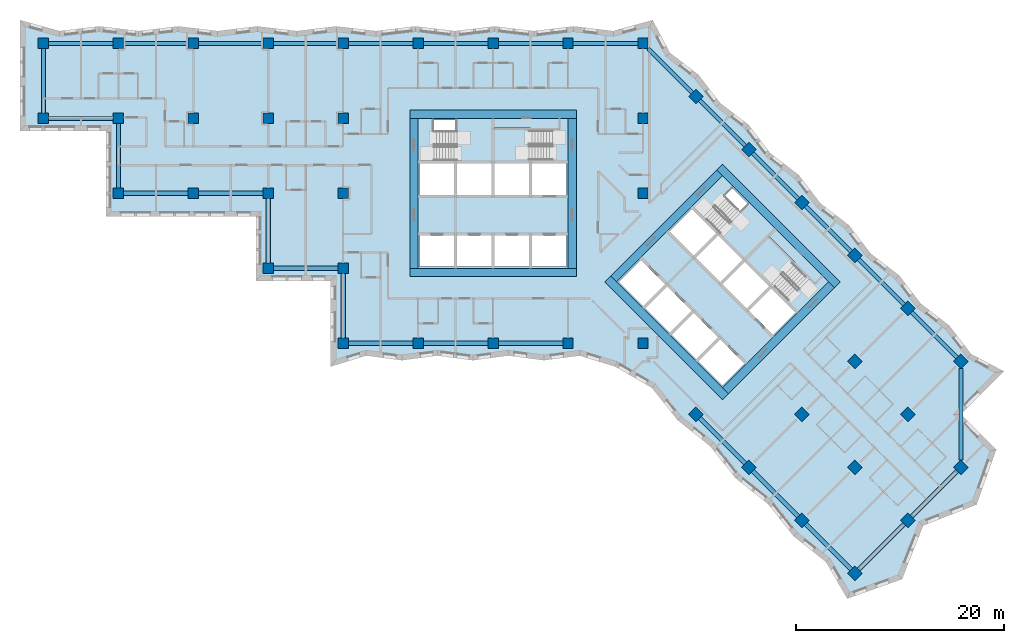
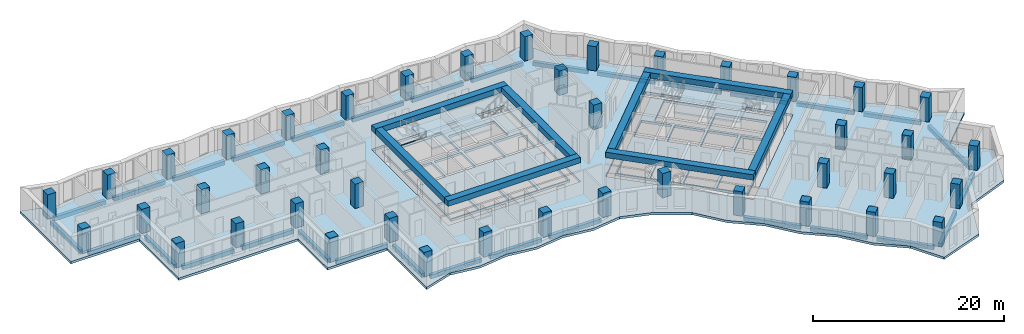
# One storey, part 1 of 13: 43 columns, 39 beams, 7 slabs, 22 openings, 4 elements without a shape of their own.
"""IFC4 building model written with IfcOpenShell, lengths in metres."""

from ifc_helpers import new_model, si_unit, direction, frame, origin, origin_2d, place, context, subcontext, project, spatial, polyline, rectangle, outline, extrude, material, layer, layer_set, material_profile, profile_set, type_object, element, aggregate, save


model = new_model("IFC4")

# Units and contexts
model_context = context("Model", 3, precision=1e-05, world=origin(), true_north=direction((0.0, 1.0)))
body_context = subcontext(model_context, "Body", "Model", "MODEL_VIEW")
ifc_project = project(units=[si_unit("LENGTHUNIT", "METRE"), si_unit("AREAUNIT", "SQUARE_METRE"), si_unit("VOLUMEUNIT", "CUBIC_METRE"), si_unit("PLANEANGLEUNIT", "RADIAN"), si_unit("MASSUNIT", "GRAM", prefix="KILO")], contexts=[model_context])

# Site, building, storey
site_placement = place(None, origin())
site = spatial("IfcSite", under=ifc_project, at=site_placement, CompositionType="ELEMENT")
building_placement = place(site_placement, origin())
building = spatial("IfcBuilding", under=site, at=building_placement, Name="Windrow Commons", CompositionType="ELEMENT")
storey_placement = place(building_placement, frame((0.0, 0.0, 98.2)))
storey = spatial("IfcBuildingStorey", under=building, at=storey_placement, Name="L26", CompositionType="ELEMENT", Elevation=98.2)

# Columns
ifc_material_1 = material(Name="Concrete C60/75", Category="concrete")
ifc_material_profile_1 = material_profile(ifc_material_1, rectangle(XDim=1.0, YDim=1.0, at=origin_2d()))
ifc_profile_set_1 = profile_set([ifc_material_profile_1], Name="Concrete C60/75")
column_type = type_object("IfcColumnType", Name="RC COLUMN 1000x1000 C60/75", PredefinedType="COLUMN", material=ifc_profile_set_1)
for number, where, z_axis, x_axis, name in (
    (1, (21.6, 64.8, 0.0), (0.0, 0.0, 1.0), (1.0, 0.0, 0.0), "C-Z2-04I"),
    (2, (21.6, 72.0, 0.0), (0.0, 0.0, 1.0), (1.0, 0.0, 0.0), "C-Z2-04J"),
    (3, (28.8, 57.6, 0.0), (0.0, 0.0, 1.0), (1.0, 0.0, 0.0), "C-Z2-05H"),
    (4, (28.8, 64.8, 0.0), (0.0, 0.0, 1.0), (1.0, 0.0, 0.0), "C-Z2-05I"),
    (5, (28.8, 72.0, 0.0), (0.0, 0.0, 1.0), (1.0, 0.0, 0.0), "C-Z2-05J"),
    (6, (36.0, 57.6, 0.0), (0.0, 0.0, 1.0), (1.0, 0.0, 0.0), "C-Z2-06H"),
    (7, (36.0, 64.8, 0.0), (0.0, 0.0, 1.0), (1.0, 0.0, 0.0), "C-Z2-06I"),
    (8, (36.0, 72.0, 0.0), (0.0, 0.0, 1.0), (1.0, 0.0, 0.0), "C-Z2-06J"),
    (9, (43.2, 50.4, 0.0), (0.0, 0.0, 1.0), (1.0, 0.0, 0.0), "C-Z2-07G"),
    (10, (43.2, 57.6, 0.0), (0.0, 0.0, 1.0), (1.0, 0.0, 0.0), "C-Z2-07H"),
    (11, (43.2, 64.8, 0.0), (0.0, 0.0, 1.0), (1.0, 0.0, 0.0), "C-Z2-07I"),
    (12, (43.2, 72.0, 0.0), (0.0, 0.0, 1.0), (1.0, 0.0, 0.0), "C-Z2-07J"),
    (13, (50.4, 43.2, 0.0), (0.0, 0.0, 1.0), (1.0, 0.0, 0.0), "C-Z2-08F"),
    (14, (50.4, 50.4, 0.0), (0.0, 0.0, 1.0), (1.0, 0.0, 0.0), "C-Z2-08G"),
    (15, (50.4, 57.6, 0.0), (0.0, 0.0, 1.0), (1.0, 0.0, 0.0), "C-Z2-08H"),
    (16, (50.4, 64.8, 0.0), (0.0, 0.0, 1.0), (1.0, 0.0, 0.0), "C-Z2-08I"),
    (17, (50.4, 72.0, 0.0), (0.0, 0.0, 1.0), (1.0, 0.0, 0.0), "C-Z2-08J"),
    (18, (57.6, 43.2, 0.0), (0.0, 0.0, 1.0), (1.0, 0.0, 0.0), "C-Z2-09F"),
    (19, (57.6, 72.0, 0.0), (0.0, 0.0, 1.0), (1.0, 0.0, 0.0), "C-Z2-09J"),
    (20, (64.8, 43.2, 0.0), (0.0, 0.0, 1.0), (1.0, 0.0, 0.0), "C-Z2-10F"),
    (21, (64.8, 72.0, 0.0), (0.0, 0.0, 1.0), (1.0, 0.0, 0.0), "C-Z2-10J"),
    (22, (72.0, 43.2, 0.0), (0.0, 0.0, 1.0), (1.0, 0.0, 0.0), "C-Z2-11F"),
    (23, (72.0, 72.0, 0.0), (0.0, 0.0, 1.0), (1.0, 0.0, 0.0), "C-Z2-11J"),
    (24, (79.2, 43.2, 0.0), (0.0, 0.0, 1.0), (1.0, 0.0, 0.0), "C-Z2-12F"),
    (25, (79.2, 57.6, 0.0), (0.0, 0.0, 1.0), (1.0, 0.0, 0.0), "C-Z2-12H"),
    (26, (79.2, 64.8, 0.0), (0.0, 0.0, 1.0), (1.0, 0.0, 0.0), "C-Z2-12I"),
    (27, (79.2, 72.0, 0.0), (0.0, 0.0, 1.0), (1.0, 0.0, 0.0), "C-Z2-12J"),
    (28, (84.2912, 66.9088, 0.0), (0.0, 0.0, 1.0), (0.7071067812, -0.7071067812, 0.0), "C-Z2-P2Q"),
    (29, (89.3823, 61.8177, 0.0), (0.0, 0.0, 1.0), (0.7071067812, -0.7071067812, 0.0), "C-Z2-P3Q"),
    (30, (94.4735, 56.7265, 0.0), (0.0, 0.0, 1.0), (0.7071067812, -0.7071067812, 0.0), "C-Z2-P4Q"),
    (31, (99.5647, 51.6353, 0.0), (0.0, 0.0, 1.0), (0.7071067812, -0.7071067812, 0.0), "C-Z2-P5Q"),
    (32, (84.2912, 36.3618, 0.0), (0.0, 0.0, 1.0), (0.7071067812, -0.7071067812, 0.0), "C-Z2-P5T"),
    (33, (104.6558, 46.5442, 0.0), (0.0, 0.0, 1.0), (0.7071067812, -0.7071067812, 0.0), "C-Z2-P6Q"),
    (34, (99.5647, 41.453, 0.0), (0.0, 0.0, 1.0), (0.7071067812, -0.7071067812, 0.0), "C-Z2-P6R"),
    (35, (94.4735, 36.3618, 0.0), (0.0, 0.0, 1.0), (0.7071067812, -0.7071067812, 0.0), "C-Z2-P6S"),
    (36, (89.3823, 31.2706, 0.0), (0.0, 0.0, 1.0), (0.7071067812, -0.7071067812, 0.0), "C-Z2-P6T"),
    (37, (109.747, 41.453, 0.0), (0.0, 0.0, 1.0), (0.7071067812, -0.7071067812, 0.0), "C-Z2-P7Q"),
    (38, (104.6558, 36.3618, 0.0), (0.0, 0.0, 1.0), (0.7071067812, -0.7071067812, 0.0), "C-Z2-P7R"),
    (39, (99.5647, 31.2706, 0.0), (0.0, 0.0, 1.0), (0.7071067812, -0.7071067812, 0.0), "C-Z2-P7S"),
    (40, (94.4735, 26.1795, 0.0), (0.0, 0.0, 1.0), (0.7071067812, -0.7071067812, 0.0), "C-Z2-P7T"),
    (41, (109.747, 31.2706, 0.0), (0.0, 0.0, 1.0), (0.7071067812, -0.7071067812, 0.0), "C-Z2-P8R"),
    (42, (104.6558, 26.1795, 0.0), (0.0, 0.0, 1.0), (0.7071067812, -0.7071067812, 0.0), "C-Z2-P8S"),
    (43, (99.5647, 21.0883, 0.0), (0.0, 0.0, 1.0), (0.7071067812, -0.7071067812, 0.0), "C-Z2-P8T"),
):
    element("IfcColumn", number, at=place(storey_placement, frame(where, z_axis=z_axis, x_axis=x_axis)), inside=storey, type_object=column_type, Name=name, PredefinedType="COLUMN", context=body_context, shape_type="SweptSolid", body=[
        extrude(rectangle(XDim=1.0, YDim=1.0, at=origin_2d()), origin(), (0.0, 0.0, 1.0), 3.1),
    ])

# Beams
ifc_material_2 = material(Name="Concrete C50/60", Category="concrete")
ifc_material_profile_2 = material_profile(ifc_material_2, rectangle(XDim=0.8, YDim=0.7, at=origin_2d()))
ifc_profile_set_2 = profile_set([ifc_material_profile_2], Name="Concrete C50/60")
beam_type_1 = type_object("IfcBeamType", Name="RC COUPLING BEAM 800x700 C50/60", PredefinedType="LINTEL", material=ifc_profile_set_2)
for number, where, z_axis, x_axis, name in (
    (44, (56.8, 50.0, 2.75), (1.0, 0.0, 0.0), (0.0, 1.0, 0.0), "Core A coupling beam outer-S"),
    (45, (56.8, 65.2, 2.75), (1.0, 0.0, 0.0), (0.0, 1.0, 0.0), "Core A coupling beam outer-N"),
):
    element("IfcBeam", number, at=place(storey_placement, frame(where, z_axis=z_axis, x_axis=x_axis)), inside=storey, type_object=beam_type_1, Name=name, PredefinedType="LINTEL", context=body_context, shape_type="SweptSolid", body=[
        extrude(rectangle(XDim=0.8, YDim=0.7, at=origin_2d()), origin(), (0.0, 0.0, 1.0), 16.0),
    ])
for number, where, z_axis, x_axis, name in (
    (46, (57.2, 50.4, 2.75), (0.0, 1.0, 0.0), (-1.0, 0.0, 0.0), "Core A coupling beam outer-W"),
    (47, (72.4, 50.4, 2.75), (0.0, 1.0, 0.0), (-1.0, 0.0, 0.0), "Core A coupling beam outer-E"),
):
    element("IfcBeam", number, at=place(storey_placement, frame(where, z_axis=z_axis, x_axis=x_axis)), inside=storey, type_object=beam_type_1, Name=name, PredefinedType="LINTEL", context=body_context, shape_type="SweptSolid", body=[
        extrude(rectangle(XDim=0.8, YDim=0.7, at=origin_2d()), origin(), (0.0, 0.0, 1.0), 14.4),
    ])
for number, where, z_axis, x_axis, name in (
    (48, (75.8059, 49.3726, 2.75), (0.7071067812, -0.7071067812, 0.0), (0.7071067812, 0.7071067812, 0.0), "Core B coupling beam outer-S"),
    (49, (86.5539, 60.1206, 2.75), (0.7071067812, -0.7071067812, 0.0), (0.7071067812, 0.7071067812, 0.0), "Core B coupling beam outer-N"),
):
    element("IfcBeam", number, at=place(storey_placement, frame(where, z_axis=z_axis, x_axis=x_axis)), inside=storey, type_object=beam_type_1, Name=name, PredefinedType="LINTEL", context=body_context, shape_type="SweptSolid", body=[
        extrude(rectangle(XDim=0.8, YDim=0.7, at=origin_2d()), origin(), (0.0, 0.0, 1.0), 16.0),
    ])
for number, where, z_axis, x_axis, name in (
    (50, (76.3716, 49.3726, 2.75), (0.7071067812, 0.7071067812, 0.0), (-0.7071067812, 0.7071067812, 0.0), "Core B coupling beam outer-W"),
    (51, (87.1196, 38.6246, 2.75), (0.7071067812, 0.7071067812, 0.0), (-0.7071067812, 0.7071067812, 0.0), "Core B coupling beam outer-E"),
):
    element("IfcBeam", number, at=place(storey_placement, frame(where, z_axis=z_axis, x_axis=x_axis)), inside=storey, type_object=beam_type_1, Name=name, PredefinedType="LINTEL", context=body_context, shape_type="SweptSolid", body=[
        extrude(rectangle(XDim=0.8, YDim=0.7, at=origin_2d()), origin(), (0.0, 0.0, 1.0), 14.3999),
    ])
ifc_material_3 = material(Name="Concrete C50/60", Category="concrete")
ifc_material_profile_3 = material_profile(ifc_material_3, rectangle(XDim=0.4, YDim=0.5, at=origin_2d()))
ifc_profile_set_3 = profile_set([ifc_material_profile_3], Name="Concrete C50/60")
beam_type_2 = type_object("IfcBeamType", Name="RC EDGE BEAM 400x500 C50/60", PredefinedType="SPANDREL", material=ifc_profile_set_3)
for number, where, z_axis, x_axis, name in (
    (52, (35.5, 57.6, -0.55), (-1.0, 0.0, 0.0), (0.0, -1.0, 0.0), "Edge beam L26 001"),
    (53, (28.8, 58.1, -0.55), (0.0, 1.0, 0.0), (-1.0, 0.0, 0.0), "Edge beam L26 002"),
    (54, (28.3, 64.8, -0.55), (-1.0, 0.0, 0.0), (0.0, -1.0, 0.0), "Edge beam L26 003"),
    (55, (21.6, 65.3, -0.55), (0.0, 1.0, 0.0), (-1.0, 0.0, 0.0), "Edge beam L26 004"),
    (56, (22.1, 72.0, -0.55), (1.0, 0.0, 0.0), (0.0, 1.0, 0.0), "Edge beam L26 005"),
    (57, (29.3, 72.0, -0.55), (1.0, 0.0, 0.0), (0.0, 1.0, 0.0), "Edge beam L26 006"),
    (58, (36.5, 72.0, -0.55), (1.0, 0.0, 0.0), (0.0, 1.0, 0.0), "Edge beam L26 007"),
    (59, (43.7, 72.0, -0.55), (1.0, 0.0, 0.0), (0.0, 1.0, 0.0), "Edge beam L26 008"),
    (60, (50.9, 72.0, -0.55), (1.0, 0.0, 0.0), (0.0, 1.0, 0.0), "Edge beam L26 009"),
    (61, (58.1, 72.0, -0.55), (1.0, 0.0, 0.0), (0.0, 1.0, 0.0), "Edge beam L26 010"),
    (62, (65.3, 72.0, -0.55), (1.0, 0.0, 0.0), (0.0, 1.0, 0.0), "Edge beam L26 011"),
    (63, (72.5, 72.0, -0.55), (1.0, 0.0, 0.0), (0.0, 1.0, 0.0), "Edge beam L26 012"),
):
    element("IfcBeam", number, at=place(storey_placement, frame(where, z_axis=z_axis, x_axis=x_axis)), inside=storey, type_object=beam_type_2, Name=name, PredefinedType="SPANDREL", context=body_context, shape_type="SweptSolid", body=[
        extrude(rectangle(XDim=0.4, YDim=0.5, at=origin_2d()), origin(), (0.0, 0.0, 1.0), 6.2),
    ])
beam_1_placement = place(storey_placement, frame((79.7, 71.5, -0.55), z_axis=(0.7071067812, -0.7071067812, 0.0), x_axis=(0.7071067812, 0.7071067812, 0.0)))
element("IfcBeam", 64, at=beam_1_placement, inside=storey, type_object=beam_type_2, Name="Edge beam L26 013", PredefinedType="SPANDREL", context=body_context, shape_type="SweptSolid", body=[
    extrude(rectangle(XDim=0.4, YDim=0.5, at=origin_2d()), origin(), (0.0, 0.0, 1.0), 5.9929),
])
beam_2_placement = place(storey_placement, frame((84.6448, 66.5552, -0.55), z_axis=(0.7071067812, -0.7071067812, 0.0), x_axis=(0.7071067812, 0.7071067812, 0.0)))
element("IfcBeam", 65, at=beam_2_placement, inside=storey, type_object=beam_type_2, Name="Edge beam L26 014", PredefinedType="SPANDREL", context=body_context, shape_type="SweptSolid", body=[
    extrude(rectangle(XDim=0.4, YDim=0.5, at=origin_2d()), origin(), (0.0, 0.0, 1.0), 6.1998),
])
for number, where, z_axis, x_axis, name in (
    (66, (89.7359, 61.4641, -0.55), (0.7071067812, -0.7071067812, 0.0), (0.7071067812, 0.7071067812, 0.0), "Edge beam L26 015"),
    (67, (94.8271, 56.3729, -0.55), (0.7071067812, -0.7071067812, 0.0), (0.7071067812, 0.7071067812, 0.0), "Edge beam L26 016"),
):
    element("IfcBeam", number, at=place(storey_placement, frame(where, z_axis=z_axis, x_axis=x_axis)), inside=storey, type_object=beam_type_2, Name=name, PredefinedType="SPANDREL", context=body_context, shape_type="SweptSolid", body=[
        extrude(rectangle(XDim=0.4, YDim=0.5, at=origin_2d()), origin(), (0.0, 0.0, 1.0), 6.1999),
    ])
beam_3_placement = place(storey_placement, frame((99.9183, 51.2817, -0.55), z_axis=(0.7071067812, -0.7071067812, 0.0), x_axis=(0.7071067812, 0.7071067812, 0.0)))
element("IfcBeam", 68, at=beam_3_placement, inside=storey, type_object=beam_type_2, Name="Edge beam L26 017", PredefinedType="SPANDREL", context=body_context, shape_type="SweptSolid", body=[
    extrude(rectangle(XDim=0.4, YDim=0.5, at=origin_2d()), origin(), (0.0, 0.0, 1.0), 6.1998),
])
beam_4_placement = place(storey_placement, frame((105.0094, 46.1906, -0.55), z_axis=(0.7071067812, -0.7071067812, 0.0), x_axis=(0.7071067812, 0.7071067812, 0.0)))
element("IfcBeam", 69, at=beam_4_placement, inside=storey, type_object=beam_type_2, Name="Edge beam L26 018", PredefinedType="SPANDREL", context=body_context, shape_type="SweptSolid", body=[
    extrude(rectangle(XDim=0.4, YDim=0.5, at=origin_2d()), origin(), (0.0, 0.0, 1.0), 6.1999),
])
beam_5_placement = place(storey_placement, frame((109.747, 40.7459, -0.55), z_axis=(0.0, -1.0, 0.0), x_axis=(1.0, 0.0, 0.0)))
element("IfcBeam", 70, at=beam_5_placement, inside=storey, type_object=beam_type_2, Name="Edge beam L26 019", PredefinedType="SPANDREL", context=body_context, shape_type="SweptSolid", body=[
    extrude(rectangle(XDim=0.4, YDim=0.5, at=origin_2d()), origin(), (0.0, 0.0, 1.0), 8.7682),
])
for number, where, z_axis, x_axis, name in (
    (71, (109.3934, 30.917, -0.55), (-0.7071148459, -0.7070987164, 0.0), (0.7070987164, -0.7071148459, 0.0), "Edge beam L26 020"),
    (72, (104.3022, 25.8259, -0.55), (-0.7070987164, -0.7071148459, 0.0), (0.7071148459, -0.7070987164, 0.0), "Edge beam L26 021"),
):
    element("IfcBeam", number, at=place(storey_placement, frame(where, z_axis=z_axis, x_axis=x_axis)), inside=storey, type_object=beam_type_2, Name=name, PredefinedType="SPANDREL", context=body_context, shape_type="SweptSolid", body=[
        extrude(rectangle(XDim=0.4, YDim=0.5, at=origin_2d()), origin(), (0.0, 0.0, 1.0), 6.1998),
    ])
beam_6_placement = place(storey_placement, frame((99.2111, 21.4419, -0.55), z_axis=(-0.7071067812, 0.7071067812, 0.0), x_axis=(-0.7071067812, -0.7071067812, 0.0)))
element("IfcBeam", 73, at=beam_6_placement, inside=storey, type_object=beam_type_2, Name="Edge beam L26 022", PredefinedType="SPANDREL", context=body_context, shape_type="SweptSolid", body=[
    extrude(rectangle(XDim=0.4, YDim=0.5, at=origin_2d()), origin(), (0.0, 0.0, 1.0), 6.1999),
])
for number, where, z_axis, x_axis, name in (
    (74, (94.1199, 26.5331, -0.55), (-0.7071148459, 0.7070987164, 0.0), (-0.7070987164, -0.7071148459, 0.0), "Edge beam L26 023"),
    (75, (89.0287, 31.6242, -0.55), (-0.7070987164, 0.7071148459, 0.0), (-0.7071148459, -0.7070987164, 0.0), "Edge beam L26 024"),
):
    element("IfcBeam", number, at=place(storey_placement, frame(where, z_axis=z_axis, x_axis=x_axis)), inside=storey, type_object=beam_type_2, Name=name, PredefinedType="SPANDREL", context=body_context, shape_type="SweptSolid", body=[
        extrude(rectangle(XDim=0.4, YDim=0.5, at=origin_2d()), origin(), (0.0, 0.0, 1.0), 6.1998),
    ])
for number, where, z_axis, x_axis, name in (
    (76, (71.5, 43.2, -0.55), (-1.0, 0.0, 0.0), (0.0, -1.0, 0.0), "Edge beam L26 025"),
    (77, (64.3, 43.2, -0.55), (-1.0, 0.0, 0.0), (0.0, -1.0, 0.0), "Edge beam L26 026"),
    (78, (57.1, 43.2, -0.55), (-1.0, 0.0, 0.0), (0.0, -1.0, 0.0), "Edge beam L26 027"),
    (79, (50.4, 43.7, -0.55), (0.0, 1.0, 0.0), (-1.0, 0.0, 0.0), "Edge beam L26 028"),
    (80, (49.9, 50.4, -0.55), (-1.0, 0.0, 0.0), (0.0, -1.0, 0.0), "Edge beam L26 029"),
    (81, (43.2, 50.9, -0.55), (0.0, 1.0, 0.0), (-1.0, 0.0, 0.0), "Edge beam L26 030"),
    (82, (42.7, 57.6, -0.55), (-1.0, 0.0, 0.0), (0.0, -1.0, 0.0), "Edge beam L26 031"),
):
    element("IfcBeam", number, at=place(storey_placement, frame(where, z_axis=z_axis, x_axis=x_axis)), inside=storey, type_object=beam_type_2, Name=name, PredefinedType="SPANDREL", context=body_context, shape_type="SweptSolid", body=[
        extrude(rectangle(XDim=0.4, YDim=0.5, at=origin_2d()), origin(), (0.0, 0.0, 1.0), 6.2),
    ])

# Slab, openings
ifc_material_4 = material(Name="Concrete C50/60", Category="concrete")
ifc_layer_1 = layer(ifc_material_4, 0.3)
ifc_layer_set_1 = layer_set([ifc_layer_1], Name="CORE FLOOR SLAB 300 C50/60")
slab_type_1 = type_object("IfcSlabType", Name="CORE FLOOR SLAB 300 C50/60", PredefinedType="FLOOR", material=ifc_layer_set_1)
placement_1 = place(storey_placement, frame((0.0, 0.0, -0.3)))
slab_1 = element("IfcSlab", 83, at=placement_1, inside=storey, type_object=slab_type_1, Name="S-L26-core-A", PredefinedType="FLOOR", context=body_context, shape_type="SweptSolid", body=[
    extrude(outline(polyline([(57.6, 50.4), (72.0, 50.4), (72.0, 64.8), (57.6, 64.8), (57.6, 50.4)]), holes=[polyline([(57.75, 50.55), (61.05, 50.55), (61.05, 53.55), (57.75, 53.55), (57.75, 50.55)]), polyline([(61.35, 50.55), (64.65, 50.55), (64.65, 53.55), (61.35, 53.55), (61.35, 50.55)]), polyline([(64.95, 50.55), (68.25, 50.55), (68.25, 53.55), (64.95, 53.55), (64.95, 50.55)]), polyline([(68.55, 50.55), (71.85, 50.55), (71.85, 53.55), (68.55, 53.55), (68.55, 50.55)]), polyline([(57.75, 57.45), (61.05, 57.45), (61.05, 60.45), (57.75, 60.45), (57.75, 57.45)]), polyline([(61.35, 57.45), (64.65, 57.45), (64.65, 60.45), (61.35, 60.45), (61.35, 57.45)]), polyline([(64.95, 57.45), (68.25, 57.45), (68.25, 60.45), (64.95, 60.45), (64.95, 57.45)]), polyline([(68.55, 57.45), (71.85, 57.45), (71.85, 60.45), (68.55, 60.45), (68.55, 57.45)]), polyline([(59.1, 60.75), (64.65, 60.75), (64.65, 64.65), (59.1, 64.65), (59.1, 60.75)]), polyline([(64.95, 60.75), (70.5, 60.75), (70.5, 63.705), (64.95, 63.705), (64.95, 60.75)])]), origin(), (0.0, 0.0, 1.0), 0.3),
])
opening_1_placement = place(placement_1, origin())
element("IfcOpeningElement", 84, at=opening_1_placement, cuts=slab_1, Name="Slab opening S-L26-core-A 1", PredefinedType="OPENING", context=body_context, shape_type="SweptSolid", body=[
    extrude(outline(polyline([(57.755, 50.555), (57.755, 53.545), (61.045, 53.545), (61.045, 50.555), (57.755, 50.555)])), origin(), (0.0, 0.0, 1.0), 0.3),
])
opening_2_placement = place(placement_1, origin())
element("IfcOpeningElement", 85, at=opening_2_placement, cuts=slab_1, Name="Slab opening S-L26-core-A 2", PredefinedType="OPENING", context=body_context, shape_type="SweptSolid", body=[
    extrude(outline(polyline([(61.355, 50.555), (61.355, 53.545), (64.645, 53.545), (64.645, 50.555), (61.355, 50.555)])), origin(), (0.0, 0.0, 1.0), 0.3),
])
opening_3_placement = place(placement_1, origin())
element("IfcOpeningElement", 86, at=opening_3_placement, cuts=slab_1, Name="Slab opening S-L26-core-A 3", PredefinedType="OPENING", context=body_context, shape_type="SweptSolid", body=[
    extrude(outline(polyline([(64.955, 50.555), (64.955, 53.545), (68.245, 53.545), (68.245, 50.555), (64.955, 50.555)])), origin(), (0.0, 0.0, 1.0), 0.3),
])
opening_4_placement = place(placement_1, origin())
element("IfcOpeningElement", 87, at=opening_4_placement, cuts=slab_1, Name="Slab opening S-L26-core-A 4", PredefinedType="OPENING", context=body_context, shape_type="SweptSolid", body=[
    extrude(outline(polyline([(68.555, 50.555), (68.555, 53.545), (71.845, 53.545), (71.845, 50.555), (68.555, 50.555)])), origin(), (0.0, 0.0, 1.0), 0.3),
])
opening_5_placement = place(placement_1, origin())
element("IfcOpeningElement", 88, at=opening_5_placement, cuts=slab_1, Name="Slab opening S-L26-core-A 5", PredefinedType="OPENING", context=body_context, shape_type="SweptSolid", body=[
    extrude(outline(polyline([(57.755, 57.455), (57.755, 60.445), (61.045, 60.445), (61.045, 57.455), (57.755, 57.455)])), origin(), (0.0, 0.0, 1.0), 0.3),
])
opening_6_placement = place(placement_1, origin())
element("IfcOpeningElement", 89, at=opening_6_placement, cuts=slab_1, Name="Slab opening S-L26-core-A 6", PredefinedType="OPENING", context=body_context, shape_type="SweptSolid", body=[
    extrude(outline(polyline([(61.355, 57.455), (61.355, 60.445), (64.645, 60.445), (64.645, 57.455), (61.355, 57.455)])), origin(), (0.0, 0.0, 1.0), 0.3),
])
opening_7_placement = place(placement_1, origin())
element("IfcOpeningElement", 90, at=opening_7_placement, cuts=slab_1, Name="Slab opening S-L26-core-A 7", PredefinedType="OPENING", context=body_context, shape_type="SweptSolid", body=[
    extrude(outline(polyline([(64.955, 57.455), (64.955, 60.445), (68.245, 60.445), (68.245, 57.455), (64.955, 57.455)])), origin(), (0.0, 0.0, 1.0), 0.3),
])
opening_8_placement = place(placement_1, origin())
element("IfcOpeningElement", 91, at=opening_8_placement, cuts=slab_1, Name="Slab opening S-L26-core-A 8", PredefinedType="OPENING", context=body_context, shape_type="SweptSolid", body=[
    extrude(outline(polyline([(68.555, 57.455), (68.555, 60.445), (71.845, 60.445), (71.845, 57.455), (68.555, 57.455)])), origin(), (0.0, 0.0, 1.0), 0.3),
])
opening_9_placement = place(placement_1, origin())
element("IfcOpeningElement", 92, at=opening_9_placement, cuts=slab_1, Name="Slab opening S-L26-core-A 9", PredefinedType="OPENING", context=body_context, shape_type="SweptSolid", body=[
    extrude(outline(polyline([(59.105, 60.755), (59.105, 64.645), (64.645, 64.645), (64.645, 60.755), (59.105, 60.755)])), origin(), (0.0, 0.0, 1.0), 0.3),
])
opening_10_placement = place(placement_1, origin())
element("IfcOpeningElement", 93, at=opening_10_placement, cuts=slab_1, Name="Slab opening S-L26-core-A 10", PredefinedType="OPENING", context=body_context, shape_type="SweptSolid", body=[
    extrude(outline(polyline([(64.955, 60.755), (64.955, 63.7), (70.495, 63.7), (70.495, 60.755), (64.955, 60.755)])), origin(), (0.0, 0.0, 1.0), 0.3),
])

slab_2 = element("IfcSlab", 94, at=placement_1, inside=storey, type_object=slab_type_1, Name="S-L26-core-B", PredefinedType="FLOOR", context=body_context, shape_type="SweptSolid", body=[
    extrude(outline(polyline([(76.6544, 49.0897), (86.8368, 38.9074), (97.0191, 49.0897), (86.8368, 59.2721), (76.6544, 49.0897)]), holes=[polyline([(76.8665, 49.0897), (79.2, 46.7563), (81.3213, 48.8776), (78.9879, 51.2111), (76.8665, 49.0897)]), polyline([(79.4121, 46.5442), (81.7456, 44.2107), (83.8669, 46.332), (81.5335, 48.6655), (79.4121, 46.5442)]), polyline([(81.9577, 43.9986), (84.2912, 41.6651), (86.4125, 43.7864), (84.079, 46.1199), (81.9577, 43.9986)]), polyline([(84.5033, 41.453), (86.8368, 39.1195), (88.9581, 41.2409), (86.6246, 43.5743), (84.5033, 41.453)]), polyline([(81.7456, 53.9688), (84.079, 51.6353), (86.2004, 53.7566), (83.8669, 56.0901), (81.7456, 53.9688)]), polyline([(84.2912, 51.4232), (86.6246, 49.0897), (88.7459, 51.2111), (86.4125, 53.5445), (84.2912, 51.4232)]), polyline([(86.8368, 48.8776), (89.1702, 46.5442), (91.2915, 48.6655), (88.9581, 50.9989), (86.8368, 48.8776)]), polyline([(89.3823, 46.332), (91.7158, 43.9986), (93.8371, 46.1199), (91.5037, 48.4533), (89.3823, 46.332)]), polyline([(85.0336, 55.3476), (88.9581, 51.4232), (91.7158, 54.1809), (87.7913, 58.1054), (85.0336, 55.3476)]), polyline([(89.1702, 51.2111), (93.0946, 47.2866), (95.1841, 49.3761), (91.2597, 53.3006), (89.1702, 51.2111)])]), origin(), (0.0, 0.0, 1.0), 0.3),
])
opening_11_placement = place(placement_1, origin())
element("IfcOpeningElement", 95, at=opening_11_placement, cuts=slab_2, Name="Slab opening S-L26-core-B 1", PredefinedType="OPENING", context=body_context, shape_type="SweptSolid", body=[
    extrude(outline(polyline([(76.8736, 49.0897), (78.9879, 51.204), (81.3142, 48.8776), (79.2, 46.7634), (76.8736, 49.0897)])), origin(), (0.0, 0.0, 1.0), 0.3),
])
opening_12_placement = place(placement_1, origin())
element("IfcOpeningElement", 96, at=opening_12_placement, cuts=slab_2, Name="Slab opening S-L26-core-B 2", PredefinedType="OPENING", context=body_context, shape_type="SweptSolid", body=[
    extrude(outline(polyline([(79.4192, 46.5442), (81.5335, 48.6584), (83.8598, 46.332), (81.7456, 44.2178), (79.4192, 46.5442)])), origin(), (0.0, 0.0, 1.0), 0.3),
])
opening_13_placement = place(placement_1, origin())
element("IfcOpeningElement", 97, at=opening_13_placement, cuts=slab_2, Name="Slab opening S-L26-core-B 3", PredefinedType="OPENING", context=body_context, shape_type="SweptSolid", body=[
    extrude(outline(polyline([(81.9648, 43.9986), (84.079, 46.1128), (86.4054, 43.7864), (84.2912, 41.6722), (81.9648, 43.9986)])), origin(), (0.0, 0.0, 1.0), 0.3),
])
opening_14_placement = place(placement_1, origin())
element("IfcOpeningElement", 98, at=opening_14_placement, cuts=slab_2, Name="Slab opening S-L26-core-B 4", PredefinedType="OPENING", context=body_context, shape_type="SweptSolid", body=[
    extrude(outline(polyline([(84.5104, 41.453), (86.6246, 43.5672), (88.951, 41.2409), (86.8368, 39.1266), (84.5104, 41.453)])), origin(), (0.0, 0.0, 1.0), 0.3),
])
opening_15_placement = place(placement_1, origin())
element("IfcOpeningElement", 99, at=opening_15_placement, cuts=slab_2, Name="Slab opening S-L26-core-B 5", PredefinedType="OPENING", context=body_context, shape_type="SweptSolid", body=[
    extrude(outline(polyline([(81.7527, 53.9688), (83.8669, 56.083), (86.1933, 53.7566), (84.079, 51.6424), (81.7527, 53.9688)])), origin(), (0.0, 0.0, 1.0), 0.3),
])
opening_16_placement = place(placement_1, origin())
element("IfcOpeningElement", 100, at=opening_16_placement, cuts=slab_2, Name="Slab opening S-L26-core-B 6", PredefinedType="OPENING", context=body_context, shape_type="SweptSolid", body=[
    extrude(outline(polyline([(84.2983, 51.4232), (86.4125, 53.5374), (88.7388, 51.2111), (86.6246, 49.0968), (84.2983, 51.4232)])), origin(), (0.0, 0.0, 1.0), 0.3),
])
opening_17_placement = place(placement_1, origin())
element("IfcOpeningElement", 101, at=opening_17_placement, cuts=slab_2, Name="Slab opening S-L26-core-B 7", PredefinedType="OPENING", context=body_context, shape_type="SweptSolid", body=[
    extrude(outline(polyline([(86.8439, 48.8776), (88.9581, 50.9918), (91.2844, 48.6655), (89.1702, 46.5513), (86.8439, 48.8776)])), origin(), (0.0, 0.0, 1.0), 0.3),
])
opening_18_placement = place(placement_1, origin())
element("IfcOpeningElement", 102, at=opening_18_placement, cuts=slab_2, Name="Slab opening S-L26-core-B 8", PredefinedType="OPENING", context=body_context, shape_type="SweptSolid", body=[
    extrude(outline(polyline([(89.3894, 46.332), (91.5037, 48.4462), (93.83, 46.1199), (91.7158, 44.0057), (89.3894, 46.332)])), origin(), (0.0, 0.0, 1.0), 0.3),
])
opening_19_placement = place(placement_1, origin())
element("IfcOpeningElement", 103, at=opening_19_placement, cuts=slab_2, Name="Slab opening S-L26-core-B 9", PredefinedType="OPENING", context=body_context, shape_type="SweptSolid", body=[
    extrude(outline(polyline([(85.0407, 55.3476), (87.7913, 58.0983), (91.7087, 54.1809), (88.9581, 51.4303), (85.0407, 55.3476)])), origin(), (0.0, 0.0, 1.0), 0.3),
])
opening_20_placement = place(placement_1, origin())
element("IfcOpeningElement", 104, at=opening_20_placement, cuts=slab_2, Name="Slab opening S-L26-core-B 10", PredefinedType="OPENING", context=body_context, shape_type="SweptSolid", body=[
    extrude(outline(polyline([(89.1773, 51.2111), (91.2597, 53.2935), (95.177, 49.3761), (93.0946, 47.2937), (89.1773, 51.2111)])), origin(), (0.0, 0.0, 1.0), 0.3),
])

# Stair, slab
ifc_material_5 = material(Name="Concrete C40/50", Category="concrete")
stair_type = type_object("IfcStairType", Name="Core stair", PredefinedType="HALF_TURN_STAIR", material=ifc_material_5)
placement_2 = place(storey_placement, origin())
stair_1 = element("IfcStair", 105, at=placement_2, inside=storey, type_object=stair_type, Name="L26 Exit stair A1 core A", PredefinedType="HALF_TURN_STAIR")
ifc_material_6 = material(Name="Concrete C40/50", Category="concrete")
ifc_layer_2 = layer(ifc_material_6, 0.2)
ifc_layer_set_2 = layer_set([ifc_layer_2], Name="Core stair landing")
slab_type_2 = type_object("IfcSlabType", Name="Core stair landing", PredefinedType="LANDING", material=ifc_layer_set_2)
placement_3 = place(storey_placement, frame((0.0, 0.0, 1.5)))
slab_3 = element("IfcSlab", 106, at=placement_3, type_object=slab_type_2, Name="ST-A1 landing 1", PredefinedType="LANDING", context=body_context, shape_type="SweptSolid", body=[
    extrude(outline(polyline([(61.22, 60.5), (64.8, 60.5), (64.8, 64.9), (61.22, 64.9), (61.22, 60.5)])), origin(), (0.0, 0.0, 1.0), 0.2),
])
aggregate(stair_1, [slab_3])

stair_2 = element("IfcStair", 107, at=placement_2, inside=storey, type_object=stair_type, Name="L26 Exit stair A2 core A", PredefinedType="HALF_TURN_STAIR")
slab_4 = element("IfcSlab", 108, at=placement_3, type_object=slab_type_2, Name="ST-A2 landing 1", PredefinedType="LANDING", context=body_context, shape_type="SweptSolid", body=[
    extrude(outline(polyline([(64.8, 60.5), (68.38, 60.5), (68.38, 63.855), (64.8, 63.855), (64.8, 60.5)])), origin(), (0.0, 0.0, 1.0), 0.2),
])
aggregate(stair_2, [slab_4])

stair_3 = element("IfcStair", 109, at=placement_2, inside=storey, type_object=stair_type, Name="L26 Exit stair B1 core B", PredefinedType="HALF_TURN_STAIR")
slab_5 = element("IfcSlab", 110, at=placement_3, type_object=slab_type_2, Name="ST-B1 landing 1", PredefinedType="LANDING", context=body_context, shape_type="SweptSolid", body=[
    extrude(outline(polyline([(86.3559, 53.6718), (88.8874, 51.1403), (91.9986, 54.2516), (89.4672, 56.7831), (86.3559, 53.6718)])), origin(), (0.0, 0.0, 1.0), 0.2),
])
aggregate(stair_3, [slab_5])

stair_4 = element("IfcStair", 111, at=placement_2, inside=storey, type_object=stair_type, Name="L26 Exit stair B2 core B", PredefinedType="HALF_TURN_STAIR")
slab_6 = element("IfcSlab", 112, at=placement_3, type_object=slab_type_2, Name="ST-B2 landing 1", PredefinedType="LANDING", context=body_context, shape_type="SweptSolid", body=[
    extrude(outline(polyline([(88.8874, 51.1403), (91.4188, 48.6089), (93.7911, 50.9812), (91.2597, 53.5127), (88.8874, 51.1403)])), origin(), (0.0, 0.0, 1.0), 0.2),
])
aggregate(stair_4, [slab_6])

# Slab, openings
ifc_material_7 = material(Name="Concrete C50/60", Category="concrete")
ifc_layer_3 = layer(ifc_material_7, 0.3)
ifc_layer_set_3 = layer_set([ifc_layer_3], Name="FLOOR SLAB 300 C50/60")
slab_type_3 = type_object("IfcSlabType", Name="FLOOR SLAB 300 C50/60", PredefinedType="FLOOR", material=ifc_layer_set_3)
slab_7 = element("IfcSlab", 113, at=placement_1, inside=storey, type_object=slab_type_3, Name="S-L26-floor", PredefinedType="FLOOR", context=body_context, shape_type="SweptSolid", body=[
    extrude(outline(polyline([(96.7771, 22.1789), (98.8215, 18.6481), (104.0985, 20.531), (106.1227, 25.6665), (111.2583, 27.6908), (113.1411, 32.9677), (109.747, 36.3618), (113.8843, 40.4991), (110.7303, 42.1668), (108.6383, 44.8965), (105.9086, 46.9885), (103.8166, 49.7182), (101.0869, 51.8102), (98.9949, 54.5399), (96.2652, 56.6319), (94.1732, 59.3616), (91.4435, 61.4536), (89.3516, 64.1833), (86.6218, 66.2753), (84.5299, 69.005), (81.8001, 71.097), (80.1324, 74.251), (76.3335, 73.2), (72.5345, 73.651), (68.7355, 73.2), (64.9366, 73.651), (61.1376, 73.2), (57.3386, 73.651), (53.5397, 73.2), (49.7407, 73.651), (45.9418, 73.2), (42.1428, 73.651), (38.3438, 73.2), (34.5449, 73.651), (30.7459, 73.2), (26.9469, 73.651), (23.148, 73.2), (19.349, 74.251), (19.349, 63.6), (27.6, 63.6), (27.6, 55.349), (42.0, 55.349), (42.0, 49.2), (49.2, 49.2), (49.2, 40.949), (52.6151, 42.0), (56.0301, 41.549), (59.4452, 42.0), (62.8603, 41.549), (66.2754, 42.0), (69.6904, 41.549), (73.1055, 42.0), (76.5206, 40.949), (80.0514, 38.9046), (82.5201, 35.798), (85.6266, 33.3293), (88.0953, 30.2228), (91.2018, 27.7541), (93.6706, 24.6476), (96.7771, 22.1789)]), holes=[polyline([(75.523, 49.0897), (86.8368, 60.4034), (98.1505, 49.0897), (86.8368, 37.776), (75.523, 49.0897)]), polyline([(56.8, 49.6), (56.8, 65.6), (72.8, 65.6), (72.8, 49.6), (56.8, 49.6)])]), origin(), (0.0, 0.0, 1.0), 0.3),
])
opening_21_placement = place(placement_1, origin())
element("IfcOpeningElement", 114, at=opening_21_placement, cuts=slab_7, Name="Slab opening S-L26-floor 1", PredefinedType="OPENING", context=body_context, shape_type="SweptSolid", body=[
    extrude(outline(polyline([(75.5301, 49.0897), (86.8368, 60.3963), (98.1434, 49.0897), (86.8368, 37.7831), (75.5301, 49.0897)])), origin(), (0.0, 0.0, 1.0), 0.3),
])
opening_22_placement = place(placement_1, origin())
element("IfcOpeningElement", 115, at=opening_22_placement, cuts=slab_7, Name="Slab opening S-L26-floor 2", PredefinedType="OPENING", context=body_context, shape_type="SweptSolid", body=[
    extrude(outline(polyline([(56.805, 49.605), (56.805, 65.595), (72.795, 65.595), (72.795, 49.605), (56.805, 49.605)])), origin(), (0.0, 0.0, 1.0), 0.3),
])

save(model, "model.ifc")
